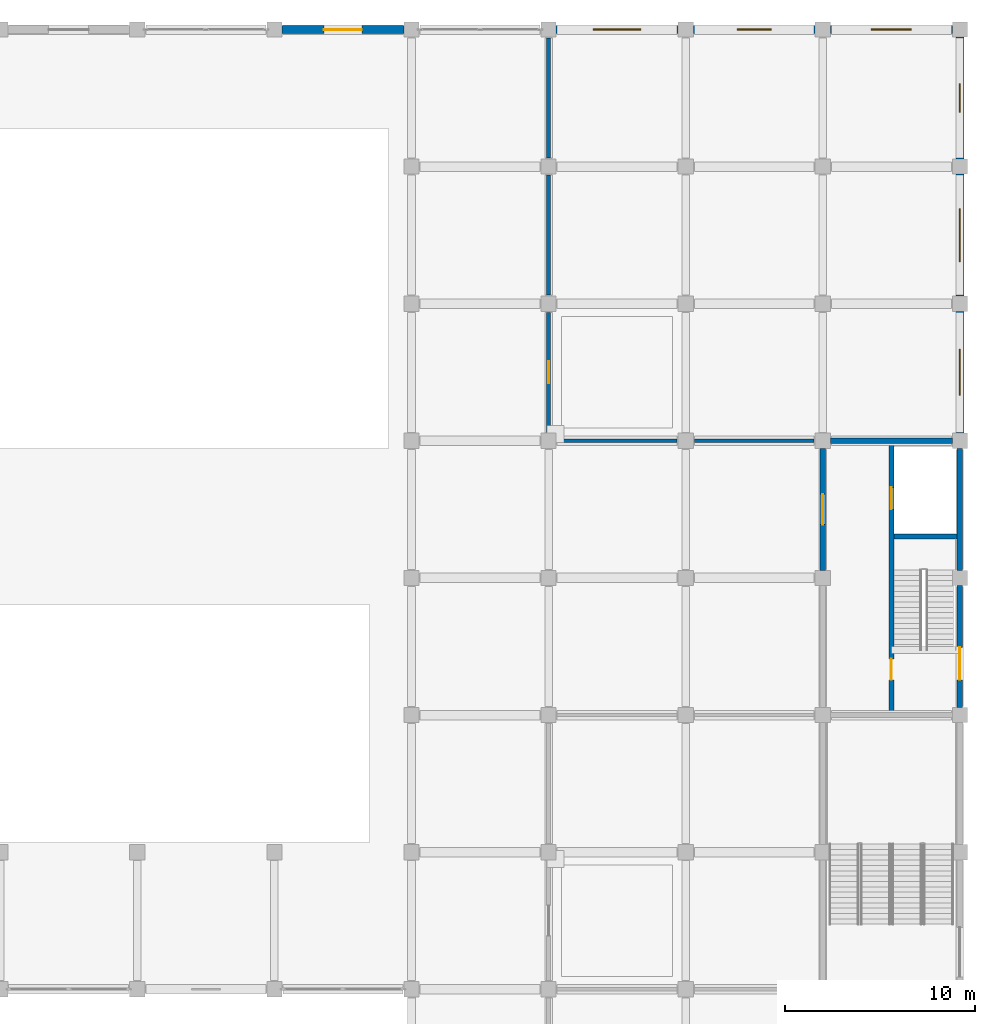
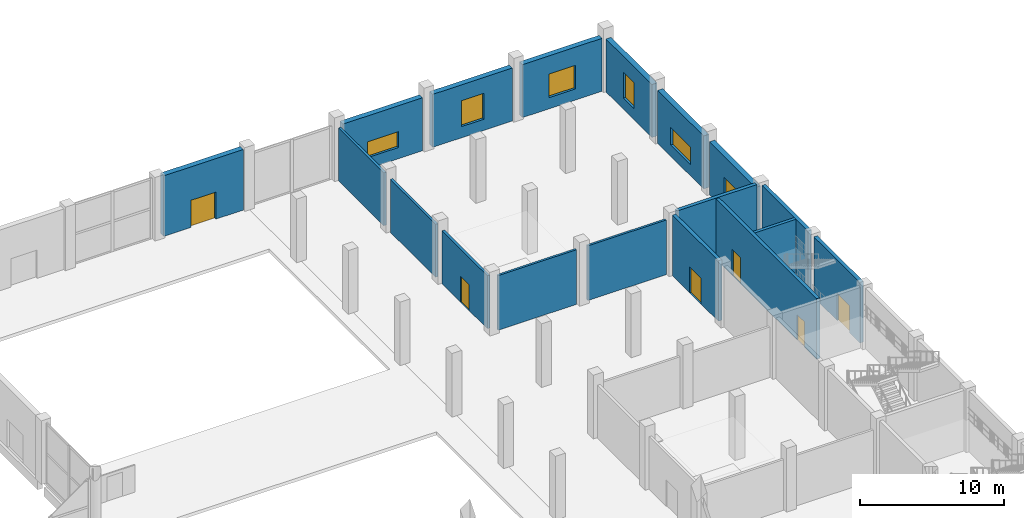
# One storey, part 53 of 70: 18 walls, 6 doors, 6 windows, 12 openings.
"""IFC4 building model written with IfcOpenShell, lengths in metres."""

from ifc_helpers import new_model, si_unit, direction, frame, frame_2d, origin, place, context, subcontext, project, spatial, rectangle, extrude, material, layer, layer_set, type_object, element, fill, save


model = new_model("IFC4")

# Units and contexts
model_context = context("Model", 3, precision=1e-05, world=origin(), true_north=direction((0.0, 1.0)))
body_context = subcontext(model_context, "Body", "Model", "MODEL_VIEW")
ifc_project = project(units=[si_unit("LENGTHUNIT", "METRE"), si_unit("AREAUNIT", "SQUARE_METRE"), si_unit("VOLUMEUNIT", "CUBIC_METRE"), si_unit("PLANEANGLEUNIT", "RADIAN"), si_unit("MASSUNIT", "GRAM", prefix="KILO")], contexts=[model_context])

# Site, building, storey
site_placement = place(None, origin())
site = spatial("IfcSite", under=ifc_project, at=site_placement, CompositionType="ELEMENT")
building_placement = place(site_placement, origin())
building = spatial("IfcBuilding", under=site, at=building_placement, Name="Vesperath Aquatics Centre", CompositionType="ELEMENT")
storey_placement = place(building_placement, origin())
storey = spatial("IfcBuildingStorey", under=building, at=storey_placement, Name="L00", CompositionType="ELEMENT", Elevation=0.0)

# Wall, opening, door
ifc_material_1 = material(Name="Liaoning grey granite ashlar insulated cavity wall", Category="masonry")
ifc_layer_1 = layer(ifc_material_1, 0.419921875)
ifc_layer_set_1 = layer_set([ifc_layer_1], Name="Liaoning grey granite ashlar insulated cavity wall")
wall_type_1 = type_object("IfcWallType", Name="WL-EW01", PredefinedType="SOLIDWALL", material=ifc_layer_set_1)
wall_1_placement = place(storey_placement, frame((137.199951171875, 115.199951171875, 0.0), z_axis=(0.0, 0.0, 1.0), x_axis=(1.0, 0.0, 0.0)))
wall_1 = element("IfcWall", 1, at=wall_1_placement, inside=storey, type_object=wall_type_1, Name="Exterior Wall EW01 L00_N_19_16", PredefinedType="SOLIDWALL", context=body_context, shape_type="SweptSolid", body=[
    extrude(rectangle(XDim=6.400146484375, YDim=0.419921875, at=frame_2d((3.2001953125, 0.0))), origin(), (0.0, 0.0, 1.0), 5.139892578125),
])
opening_1_placement = place(wall_1_placement, frame((2.199951171875, 0.0, 0.0)))
opening_1 = element("IfcOpeningElement", 2, at=opening_1_placement, cuts=wall_1, Name="Opening EX03", PredefinedType="OPENING", context=body_context, shape_type="SweptSolid", body=[
    extrude(rectangle(XDim=2.0, YDim=2.300048828125, at=frame_2d((1.0, 1.14990234375))), frame((0.0, 0.224853515625, 0.0), z_axis=(0.0, -1.0, 0.0), x_axis=(1.0, 0.0, 0.0)), (0.0, 0.0, 1.0), 0.44970703125),
])
ifc_material_2 = material(Name="Thermally broken bronze-anodised glazed aluminium door", Category="aluminium")
door_type_1 = type_object("IfcDoorType", Name="DR-EX03", OperationType="DOUBLE_SWING_LEFT", PredefinedType="DOOR", material=ifc_material_2)
door_1_placement = place(opening_1_placement, origin())
door_1 = element("IfcDoor", 3, at=door_1_placement, inside=storey, type_object=door_type_1, Name="Final Exit Door EX03 L00_N_19_16", OperationType="DOUBLE_SWING_LEFT", OverallHeight=2.300048828125, OverallWidth=2.0, PredefinedType="DOOR", context=body_context, shape_type="SweptSolid", body=[
    extrude(rectangle(XDim=2.0, YDim=2.300048828125, at=frame_2d((1.0, 1.14990234375))), frame((0.0, 0.02490234375, 0.0), z_axis=(0.0, -1.0, 0.0), x_axis=(1.0, 0.0, 0.0)), (0.0, 0.0, 1.0), 0.050048828125),
])
fill(opening_1, door_1)

# Wall, opening, window
wall_2_placement = place(storey_placement, frame((151.60009765625, 115.199951171875, 0.0), z_axis=(0.0, 0.0, 1.0), x_axis=(1.0, 0.0, 0.0)))
wall_2 = element("IfcWall", 4, at=wall_2_placement, inside=storey, type_object=wall_type_1, Name="Exterior Wall EW01 L00_N_21_16", PredefinedType="SOLIDWALL", context=body_context, shape_type="SweptSolid", body=[
    extrude(rectangle(XDim=6.39990234375, YDim=0.419921875, at=frame_2d((3.199951171875, 0.0))), origin(), (0.0, 0.0, 1.0), 4.4951171875),
])
opening_2_placement = place(wall_2_placement, frame((1.949951171875, 0.0, 0.949951171875)))
opening_2 = element("IfcOpeningElement", 5, at=opening_2_placement, cuts=wall_2, Name="Opening W16", PredefinedType="OPENING", context=body_context, shape_type="SweptSolid", body=[
    extrude(rectangle(XDim=2.5, YDim=1.35009765625, at=frame_2d((1.25, 0.675048828125))), frame((0.0, 0.224853515625, 0.0), z_axis=(0.0, -1.0, 0.0), x_axis=(1.0, 0.0, 0.0)), (0.0, 0.0, 1.0), 0.44970703125),
])
ifc_material_3 = material(Name="Thermally broken aluminium triple-glazed window", Category="aluminium")
window_type_1 = type_object("IfcWindowType", Name="WN-W16", PartitioningType="SINGLE_PANEL", PredefinedType="WINDOW", material=ifc_material_3)
window_1_placement = place(opening_2_placement, origin())
window_1 = element("IfcWindow", 6, at=window_1_placement, inside=storey, type_object=window_type_1, Name="Deep-Reveal Casement Window W16 L00_N_21_16", OverallHeight=1.35009765625, OverallWidth=2.5, PartitioningType="SINGLE_PANEL", PredefinedType="WINDOW", context=body_context, shape_type="SweptSolid", body=[
    extrude(rectangle(XDim=2.5, YDim=1.35009765625, at=frame_2d((1.25, 0.675048828125))), frame((0.0, 0.030029296875, 0.0), z_axis=(0.0, -1.0, 0.0), x_axis=(1.0, 0.0, 0.0)), (0.0, 0.0, 1.0), 0.06005859375),
])
fill(opening_2, window_1)

wall_3_placement = place(storey_placement, frame((158.800048828125, 115.199951171875, 0.0), z_axis=(0.0, 0.0, 1.0), x_axis=(1.0, 0.0, 0.0)))
wall_3 = element("IfcWall", 7, at=wall_3_placement, inside=storey, type_object=wall_type_1, Name="Exterior Wall EW01 L00_N_22_16", PredefinedType="SOLIDWALL", context=body_context, shape_type="SweptSolid", body=[
    extrude(rectangle(XDim=6.39990234375, YDim=0.419921875, at=frame_2d((3.199951171875, 0.0))), origin(), (0.0, 0.0, 1.0), 4.4951171875),
])
opening_3_placement = place(wall_3_placement, frame((2.300048828125, 0.0, 0.949951171875)))
opening_3 = element("IfcOpeningElement", 8, at=opening_3_placement, cuts=wall_3, Name="Opening W03", PredefinedType="OPENING", context=body_context, shape_type="SweptSolid", body=[
    extrude(rectangle(XDim=1.800048828125, YDim=2.199951171875, at=frame_2d((0.89990234375, 1.10009765625))), frame((0.0, 0.224853515625, 0.0), z_axis=(0.0, -1.0, 0.0), x_axis=(1.0, 0.0, 0.0)), (0.0, 0.0, 1.0), 0.44970703125),
])
window_type_2 = type_object("IfcWindowType", Name="WN-W03", PartitioningType="SINGLE_PANEL", PredefinedType="WINDOW", material=ifc_material_3)
window_2_placement = place(opening_3_placement, origin())
window_2 = element("IfcWindow", 9, at=window_2_placement, inside=storey, type_object=window_type_2, Name="Deep-Reveal Casement Window W03 L00_N_22_16", OverallHeight=2.199951171875, OverallWidth=1.800048828125, PartitioningType="SINGLE_PANEL", PredefinedType="WINDOW", context=body_context, shape_type="SweptSolid", body=[
    extrude(rectangle(XDim=1.800048828125, YDim=2.199951171875, at=frame_2d((0.89990234375, 1.10009765625))), frame((0.0, 0.030029296875, 0.0), z_axis=(0.0, -1.0, 0.0), x_axis=(1.0, 0.0, 0.0)), (0.0, 0.0, 1.0), 0.06005859375),
])
fill(opening_3, window_2)

wall_4_placement = place(storey_placement, frame((166.0, 115.199951171875, 0.0), z_axis=(0.0, 0.0, 1.0), x_axis=(1.0, 0.0, 0.0)))
wall_4 = element("IfcWall", 10, at=wall_4_placement, inside=storey, type_object=wall_type_1, Name="Exterior Wall EW01 L00_N_23_16", PredefinedType="SOLIDWALL", context=body_context, shape_type="SweptSolid", body=[
    extrude(rectangle(XDim=6.39990234375, YDim=0.419921875, at=frame_2d((3.199951171875, 0.0))), origin(), (0.0, 0.0, 1.0), 4.4951171875),
])
opening_4_placement = place(wall_4_placement, frame((2.14990234375, 0.0, 0.949951171875)))
opening_4 = element("IfcOpeningElement", 11, at=opening_4_placement, cuts=wall_4, Name="Opening W06", PredefinedType="OPENING", context=body_context, shape_type="SweptSolid", body=[
    extrude(rectangle(XDim=2.10009765625, YDim=2.0, at=frame_2d((1.050048828125, 1.0))), frame((0.0, 0.224853515625, 0.0), z_axis=(0.0, -1.0, 0.0), x_axis=(1.0, 0.0, 0.0)), (0.0, 0.0, 1.0), 0.44970703125),
])
window_type_3 = type_object("IfcWindowType", Name="WN-W06", PartitioningType="SINGLE_PANEL", PredefinedType="WINDOW", material=ifc_material_3)
window_3_placement = place(opening_4_placement, origin())
window_3 = element("IfcWindow", 12, at=window_3_placement, inside=storey, type_object=window_type_3, Name="Deep-Reveal Casement Window W06 L00_N_23_16", OverallHeight=2.0, OverallWidth=2.10009765625, PartitioningType="SINGLE_PANEL", PredefinedType="WINDOW", context=body_context, shape_type="SweptSolid", body=[
    extrude(rectangle(XDim=2.10009765625, YDim=2.0, at=frame_2d((1.050048828125, 1.0))), frame((0.0, 0.030029296875, 0.0), z_axis=(0.0, -1.0, 0.0), x_axis=(1.0, 0.0, 0.0)), (0.0, 0.0, 1.0), 0.06005859375),
])
fill(opening_4, window_3)

wall_5_placement = place(storey_placement, frame((172.800048828125, 94.0, 0.0), z_axis=(0.0, 0.0, 1.0), x_axis=(0.0, 1.0, 0.0)))
wall_5 = element("IfcWall", 13, at=wall_5_placement, inside=storey, type_object=wall_type_1, Name="Exterior Wall EW01 L00_E_24_13", PredefinedType="SOLIDWALL", context=body_context, shape_type="SweptSolid", body=[
    extrude(rectangle(XDim=6.39990234375, YDim=0.419921875, at=frame_2d((3.199951171875, 0.0))), origin(), (0.0, 0.0, 1.0), 4.4951171875),
])
opening_5_placement = place(wall_5_placement, frame((2.0, 0.0, 0.949951171875)))
opening_5 = element("IfcOpeningElement", 14, at=opening_5_placement, cuts=wall_5, Name="Opening W10", PredefinedType="OPENING", context=body_context, shape_type="SweptSolid", body=[
    extrude(rectangle(XDim=2.39990234375, YDim=1.75, at=frame_2d((1.199951171875, 0.875))), frame((0.0, 0.224853515625, 0.0), z_axis=(0.0, -1.0, 0.0), x_axis=(1.0, 0.0, 0.0)), (0.0, 0.0, 1.0), 0.44970703125),
])
window_type_4 = type_object("IfcWindowType", Name="WN-W10", PartitioningType="SINGLE_PANEL", PredefinedType="WINDOW", material=ifc_material_3)
window_4_placement = place(opening_5_placement, origin())
window_4 = element("IfcWindow", 15, at=window_4_placement, inside=storey, type_object=window_type_4, Name="Deep-Reveal Casement Window W10 L00_E_24_13", OverallHeight=1.75, OverallWidth=2.39990234375, PartitioningType="SINGLE_PANEL", PredefinedType="WINDOW", context=body_context, shape_type="SweptSolid", body=[
    extrude(rectangle(XDim=2.39990234375, YDim=1.75, at=frame_2d((1.199951171875, 0.875))), frame((0.0, 0.030029296875, 0.0), z_axis=(0.0, -1.0, 0.0), x_axis=(1.0, 0.0, 0.0)), (0.0, 0.0, 1.0), 0.06005859375),
])
fill(opening_5, window_4)

wall_6_placement = place(storey_placement, frame((172.800048828125, 101.199951171875, 0.0), z_axis=(0.0, 0.0, 1.0), x_axis=(0.0, 1.0, 0.0)))
wall_6 = element("IfcWall", 16, at=wall_6_placement, inside=storey, type_object=wall_type_1, Name="Exterior Wall EW01 L00_E_24_14", PredefinedType="SOLIDWALL", context=body_context, shape_type="SweptSolid", body=[
    extrude(rectangle(XDim=6.400146484375, YDim=0.419921875, at=frame_2d((3.2001953125, 0.0))), origin(), (0.0, 0.0, 1.0), 4.4951171875),
])
opening_6_placement = place(wall_6_placement, frame((1.800048828125, 0.0, 0.949951171875)))
opening_6 = element("IfcOpeningElement", 17, at=opening_6_placement, cuts=wall_6, Name="Opening W15", PredefinedType="OPENING", context=body_context, shape_type="SweptSolid", body=[
    extrude(rectangle(XDim=2.800048828125, YDim=1.5, at=frame_2d((1.39990234375, 0.75))), frame((0.0, 0.224853515625, 0.0), z_axis=(0.0, -1.0, 0.0), x_axis=(1.0, 0.0, 0.0)), (0.0, 0.0, 1.0), 0.44970703125),
])
window_type_5 = type_object("IfcWindowType", Name="WN-W15", PartitioningType="SINGLE_PANEL", PredefinedType="WINDOW", material=ifc_material_3)
window_5_placement = place(opening_6_placement, origin())
window_5 = element("IfcWindow", 18, at=window_5_placement, inside=storey, type_object=window_type_5, Name="Deep-Reveal Casement Window W15 L00_E_24_14", OverallHeight=1.5, OverallWidth=2.800048828125, PartitioningType="SINGLE_PANEL", PredefinedType="WINDOW", context=body_context, shape_type="SweptSolid", body=[
    extrude(rectangle(XDim=2.800048828125, YDim=1.5, at=frame_2d((1.39990234375, 0.75))), frame((0.0, 0.030029296875, 0.0), z_axis=(0.0, -1.0, 0.0), x_axis=(1.0, 0.0, 0.0)), (0.0, 0.0, 1.0), 0.06005859375),
])
fill(opening_6, window_5)

wall_7_placement = place(storey_placement, frame((172.800048828125, 108.39990234375, 0.0), z_axis=(0.0, 0.0, 1.0), x_axis=(0.0, 1.0, 0.0)))
wall_7 = element("IfcWall", 19, at=wall_7_placement, inside=storey, type_object=wall_type_1, Name="Exterior Wall EW01 L00_E_24_15", PredefinedType="SOLIDWALL", context=body_context, shape_type="SweptSolid", body=[
    extrude(rectangle(XDim=6.400146484375, YDim=0.419921875, at=frame_2d((3.2001953125, 0.0))), origin(), (0.0, 0.0, 1.0), 4.4951171875),
])
opening_7_placement = place(wall_7_placement, frame((2.449951171875, 0.0, 0.949951171875)))
opening_7 = element("IfcOpeningElement", 20, at=opening_7_placement, cuts=wall_7, Name="Opening W04", PredefinedType="OPENING", context=body_context, shape_type="SweptSolid", body=[
    extrude(rectangle(XDim=1.5, YDim=2.199951171875, at=frame_2d((0.75, 1.10009765625))), frame((0.0, 0.224853515625, 0.0), z_axis=(0.0, -1.0, 0.0), x_axis=(1.0, 0.0, 0.0)), (0.0, 0.0, 1.0), 0.44970703125),
])
window_type_6 = type_object("IfcWindowType", Name="WN-W04", PartitioningType="SINGLE_PANEL", PredefinedType="WINDOW", material=ifc_material_3)
window_6_placement = place(opening_7_placement, origin())
window_6 = element("IfcWindow", 21, at=window_6_placement, inside=storey, type_object=window_type_6, Name="Deep-Reveal Casement Window W04 L00_E_24_15", OverallHeight=2.199951171875, OverallWidth=1.5, PartitioningType="SINGLE_PANEL", PredefinedType="WINDOW", context=body_context, shape_type="SweptSolid", body=[
    extrude(rectangle(XDim=1.5, YDim=2.199951171875, at=frame_2d((0.75, 1.10009765625))), frame((0.0, 0.030029296875, 0.0), z_axis=(0.0, -1.0, 0.0), x_axis=(1.0, 0.0, 0.0)), (0.0, 0.0, 1.0), 0.06005859375),
])
fill(opening_7, window_6)

# Wall, opening, door
ifc_material_4 = material(Name="Wet-village masonry block wall", Category="masonry")
ifc_layer_2 = layer(ifc_material_4, 0.199951171875)
ifc_layer_set_2 = layer_set([ifc_layer_2], Name="Wet-village masonry block wall")
wall_type_2 = type_object("IfcWallType", Name="WL-FW03", PredefinedType="SOLIDWALL", material=ifc_layer_set_2)
wall_8_placement = place(storey_placement, frame((151.199951171875, 94.050048828125, 0.0), z_axis=(0.0, 0.0, 1.0), x_axis=(0.0, 1.0, 0.0)))
wall_8 = element("IfcWall", 22, at=wall_8_placement, inside=storey, type_object=wall_type_2, Name="Interior Partition FW03 L00_CHG_FAM-W1", PredefinedType="SOLIDWALL", context=body_context, shape_type="SweptSolid", body=[
    extrude(rectangle(XDim=6.300048828125, YDim=0.199951171875, at=frame_2d((3.14990234375, 0.0))), origin(), (0.0, 0.0, 1.0), 4.4951171875),
])
opening_8_placement = place(wall_8_placement, frame((2.570068359375, 0.0, 0.0)))
opening_8 = element("IfcOpeningElement", 23, at=opening_8_placement, cuts=wall_8, Name="Opening D26", PredefinedType="OPENING", context=body_context, shape_type="SweptSolid", body=[
    extrude(rectangle(XDim=1.159912109375, YDim=2.199951171875, at=frame_2d((0.580078125, 1.10009765625))), frame((0.0, 0.11474609375, 0.0), z_axis=(0.0, -1.0, 0.0), x_axis=(1.0, 0.0, 0.0)), (0.0, 0.0, 1.0), 0.229736328125),
])
ifc_material_5 = material(Name="Biomechanics laboratory sealed door", Category="steel")
door_type_2 = type_object("IfcDoorType", Name="DR-RM18", OperationType="NOTDEFINED", PredefinedType="DOOR", material=ifc_material_5)
door_2_placement = place(opening_8_placement, frame((1.159912109375, 0.0, 0.0), z_axis=(0.0, 0.0, 1.0), x_axis=(-1.0, 0.0, 0.0)))
door_2 = element("IfcDoor", 24, at=door_2_placement, inside=storey, type_object=door_type_2, Name="Accessible Family Changing and Pre-Swim Showers Door D26", OperationType="SINGLE_SWING_LEFT", OverallHeight=2.199951171875, OverallWidth=1.159912109375, PredefinedType="DOOR", context=body_context, shape_type="SweptSolid", body=[
    extrude(rectangle(XDim=1.159912109375, YDim=2.199951171875, at=frame_2d((0.580078125, 1.10009765625))), frame((0.0, 0.02490234375, 0.0), z_axis=(0.0, -1.0, 0.0), x_axis=(1.0, 0.0, 0.0)), (0.0, 0.0, 1.0), 0.050048828125),
])
fill(opening_8, door_2)

# Walls
for number, where, z_axis, x_axis, name in (
    (25, (151.199951171875, 101.25, 0.0), (0.0, 0.0, 1.0), (0.0, 1.0, 0.0), "Interior Partition FW03 L00_CHG_FAM-W2"),
    (26, (151.199951171875, 108.449951171875, 0.0), (0.0, 0.0, 1.0), (0.0, 1.0, 0.0), "Interior Partition FW03 L00_CHG_FAM-W3"),
):
    element("IfcWall", number, at=place(storey_placement, frame(where, z_axis=z_axis, x_axis=x_axis)), inside=storey, type_object=wall_type_2, Name=name, PredefinedType="SOLIDWALL", context=body_context, shape_type="SweptSolid", body=[
        extrude(rectangle(XDim=6.300048828125, YDim=0.199951171875, at=frame_2d((3.14990234375, 0.0))), origin(), (0.0, 0.0, 1.0), 4.4951171875),
    ])
ifc_material_6 = material(Name="Moisture-resistant tiled wet partition", Category="gypsum")
ifc_layer_3 = layer(ifc_material_6, 0.175048828125)
ifc_layer_set_3 = layer_set([ifc_layer_3], Name="Moisture-resistant tiled wet partition")
wall_type_3 = type_object("IfcWallType", Name="WL-IW02", PredefinedType="PARTITIONING", material=ifc_layer_set_3)
wall_9_placement = place(storey_placement, frame((151.64990234375, 93.60009765625, 0.0), z_axis=(0.0, 0.0, 1.0), x_axis=(1.0, 0.0, 0.0)))
element("IfcWall", 27, at=wall_9_placement, inside=storey, type_object=wall_type_3, Name="Interior Partition IW02 L00_CHG_FAM-S1", PredefinedType="PARTITIONING", context=body_context, shape_type="SweptSolid", body=[
    extrude(rectangle(XDim=6.300048828125, YDim=0.175048828125, at=frame_2d((3.14990234375, 0.0))), origin(), (0.0, 0.0, 1.0), 4.639892578125),
])
wall_10_placement = place(storey_placement, frame((158.85009765625, 93.60009765625, 0.0), z_axis=(0.0, 0.0, 1.0), x_axis=(1.0, 0.0, 0.0)))
element("IfcWall", 28, at=wall_10_placement, inside=storey, type_object=wall_type_3, Name="Interior Partition IW02 L00_CHG_FAM-S2", PredefinedType="PARTITIONING", context=body_context, shape_type="SweptSolid", body=[
    extrude(rectangle(XDim=6.2998046875, YDim=0.175048828125, at=frame_2d((3.14990234375, 0.0))), origin(), (0.0, 0.0, 1.0), 4.639892578125),
])
ifc_material_7 = material(Name="Concrete C40", Category="concrete")
ifc_layer_4 = layer(ifc_material_7, 0.280029296875)
ifc_layer_set_4 = layer_set([ifc_layer_4], Name="Concrete C40")
wall_type_4 = type_object("IfcWallType", Name="WL-SW02", PredefinedType="SHEAR", material=ifc_layer_set_4)
wall_11_placement = place(storey_placement, frame((166.0, 93.60009765625, 0.0), z_axis=(0.0, 0.0, 1.0), x_axis=(1.0, 0.0, 0.0)))
element("IfcWall", 29, at=wall_11_placement, inside=storey, type_object=wall_type_4, Name="Core C4 North Shear Wall SW02 L00", PredefinedType="SHEAR", context=body_context, shape_type="SweptSolid", body=[
    extrude(rectangle(XDim=6.39990234375, YDim=0.280029296875, at=frame_2d((3.199951171875, 0.0))), origin(), (0.0, 0.0, 1.0), 5.139892578125),
])

# Wall, opening, door
wall_12_placement = place(storey_placement, frame((165.60009765625, 86.800048828125, 0.0), z_axis=(0.0, 0.0, 1.0), x_axis=(0.0, 1.0, 0.0)))
wall_12 = element("IfcWall", 30, at=wall_12_placement, inside=storey, type_object=wall_type_4, Name="Core C4 West-2 Shear Wall SW02 L00", PredefinedType="SHEAR", context=body_context, shape_type="SweptSolid", body=[
    extrude(rectangle(XDim=6.39990234375, YDim=0.280029296875, at=frame_2d((3.199951171875, 0.0))), origin(), (0.0, 0.0, 1.0), 5.139892578125),
])
opening_9_placement = place(wall_12_placement, frame((2.39990234375, 0.0, 0.0)))
opening_9 = element("IfcOpeningElement", 31, at=opening_9_placement, cuts=wall_12, Name="Opening D02", PredefinedType="OPENING", context=body_context, shape_type="SweptSolid", body=[
    extrude(rectangle(XDim=1.60009765625, YDim=2.199951171875, at=frame_2d((0.800048828125, 1.10009765625))), frame((0.0, 0.15478515625, 0.0), z_axis=(0.0, -1.0, 0.0), x_axis=(1.0, 0.0, 0.0)), (0.0, 0.0, 1.0), 0.309814453125),
])
ifc_material_8 = material(Name="Glazed fire-rated lobby double door", Category="steel")
door_type_3 = type_object("IfcDoorType", Name="DR-FD02", OperationType="DOUBLE_SWING_LEFT", PredefinedType="DOOR", material=ifc_material_8)
door_3_placement = place(opening_9_placement, origin())
door_3 = element("IfcDoor", 32, at=door_3_placement, inside=storey, type_object=door_type_3, Name="Core C4 Lobby Fire Door D02 L00", OperationType="DOUBLE_SWING_LEFT", OverallHeight=2.199951171875, OverallWidth=1.60009765625, PredefinedType="DOOR", context=body_context, shape_type="SweptSolid", body=[
    extrude(rectangle(XDim=1.60009765625, YDim=2.199951171875, at=frame_2d((0.800048828125, 1.10009765625))), frame((0.0, 0.02490234375, 0.0), z_axis=(0.0, -1.0, 0.0), x_axis=(1.0, 0.0, 0.0)), (0.0, 0.0, 1.0), 0.050048828125),
])
fill(opening_9, door_3)

# Wall, openings, doors
ifc_layer_5 = layer(ifc_material_7, 0.260009765625)
ifc_layer_set_5 = layer_set([ifc_layer_5], Name="Concrete C40")
wall_type_5 = type_object("IfcWallType", Name="WL-SW03", PredefinedType="SHEAR", material=ifc_layer_set_5)
wall_13_placement = place(storey_placement, frame((169.199951171875, 79.39990234375, 0.0), z_axis=(0.0, 0.0, 1.0), x_axis=(0.0, 1.0, 0.0)))
wall_13 = element("IfcWall", 33, at=wall_13_placement, inside=storey, type_object=wall_type_5, Name="Core C4 Spine Shear Wall SW03 L00", PredefinedType="SHEAR", context=body_context, shape_type="SweptSolid", body=[
    extrude(rectangle(XDim=14.0, YDim=0.260009765625, at=frame_2d((7.0, 0.0))), origin(), (0.0, 0.0, 1.0), 5.139892578125),
])
opening_10_placement = place(wall_13_placement, frame((1.64990234375, 0.0, 0.0)))
opening_10 = element("IfcOpeningElement", 34, at=opening_10_placement, cuts=wall_13, Name="Opening D01", PredefinedType="OPENING", context=body_context, shape_type="SweptSolid", body=[
    extrude(rectangle(XDim=1.10009765625, YDim=2.14990234375, at=frame_2d((0.550048828125, 1.074951171875))), frame((0.0, 0.14501953125, 0.0), z_axis=(0.0, -1.0, 0.0), x_axis=(1.0, 0.0, 0.0)), (0.0, 0.0, 1.0), 0.289794921875),
])
opening_11_placement = place(wall_13_placement, frame((10.60009765625, 0.0, 0.0)))
opening_11 = element("IfcOpeningElement", 35, at=opening_11_placement, cuts=wall_13, Name="Opening LD02", PredefinedType="OPENING", context=body_context, shape_type="SweptSolid", body=[
    extrude(rectangle(XDim=1.14990234375, YDim=2.199951171875, at=frame_2d((0.574951171875, 1.10009765625))), frame((0.0, 0.14501953125, 0.0), z_axis=(0.0, -1.0, 0.0), x_axis=(1.0, 0.0, 0.0)), (0.0, 0.0, 1.0), 0.289794921875),
])
ifc_material_9 = material(Name="Steel-faced acoustic fire door", Category="steel")
door_type_4 = type_object("IfcDoorType", Name="DR-FD01", OperationType="NOTDEFINED", PredefinedType="DOOR", material=ifc_material_9)
door_4_placement = place(opening_10_placement, frame((1.10009765625, 0.0, 0.0), z_axis=(0.0, 0.0, 1.0), x_axis=(-1.0, 0.0, 0.0)))
door_4 = element("IfcDoor", 36, at=door_4_placement, inside=storey, type_object=door_type_4, Name="Stair ST4 Fire Door D01 L00", OperationType="SINGLE_SWING_RIGHT", OverallHeight=2.14990234375, OverallWidth=1.10009765625, PredefinedType="DOOR", context=body_context, shape_type="SweptSolid", body=[
    extrude(rectangle(XDim=1.10009765625, YDim=2.14990234375, at=frame_2d((0.550048828125, 1.074951171875))), frame((0.0, 0.02490234375, 0.0), z_axis=(0.0, -1.0, 0.0), x_axis=(1.0, 0.0, 0.0)), (0.0, 0.0, 1.0), 0.050048828125),
])
fill(opening_10, door_4)
ifc_material_10 = material(Name="Brushed stainless steel lift landing door", Category="steel")
door_type_5 = type_object("IfcDoorType", Name="DR-LD02", OperationType="SLIDING_TO_RIGHT", PredefinedType="DOOR", material=ifc_material_10)
door_5_placement = place(opening_11_placement, origin())
door_5 = element("IfcDoor", 37, at=door_5_placement, inside=storey, type_object=door_type_5, Name="Lift LFT-P3 Sliding Landing Door LD02 L00", OperationType="SLIDING_TO_RIGHT", OverallHeight=2.199951171875, OverallWidth=1.14990234375, PredefinedType="DOOR", context=body_context, shape_type="SweptSolid", body=[
    extrude(rectangle(XDim=1.14990234375, YDim=2.199951171875, at=frame_2d((0.574951171875, 1.10009765625))), frame((0.0, 0.02490234375, 0.0), z_axis=(0.0, -1.0, 0.0), x_axis=(1.0, 0.0, 0.0)), (0.0, 0.0, 1.0), 0.050048828125),
])
fill(opening_11, door_5)

# Wall
ifc_layer_6 = layer(ifc_material_7, 0.25)
ifc_layer_set_6 = layer_set([ifc_layer_6], Name="Concrete C40")
wall_type_6 = type_object("IfcWallType", Name="WL-SW04", PredefinedType="SHEAR", material=ifc_layer_set_6)
wall_14_placement = place(storey_placement, frame((169.340087890625, 88.580078125, 0.0), z_axis=(0.0, 0.0, 1.0), x_axis=(1.0, 0.0, 0.0)))
element("IfcWall", 38, at=wall_14_placement, inside=storey, type_object=wall_type_6, Name="Core C4 Lift Shaft Wall SW04 L00", PredefinedType="SHEAR", context=body_context, shape_type="SweptSolid", body=[
    extrude(rectangle(XDim=3.2998046875, YDim=0.25, at=frame_2d((1.64990234375, 0.0))), origin(), (0.0, 0.0, 1.0), 5.139892578125),
])

# Wall, opening, door
ifc_layer_7 = layer(ifc_material_7, 0.2900390625)
ifc_layer_set_7 = layer_set([ifc_layer_7], Name="Concrete C40")
wall_type_7 = type_object("IfcWallType", Name="WL-SW06", PredefinedType="SHEAR", material=ifc_layer_set_7)
wall_15_placement = place(storey_placement, frame((172.800048828125, 79.60009765625, 0.0), z_axis=(0.0, 0.0, 1.0), x_axis=(0.0, 1.0, 0.0)))
wall_15 = element("IfcWall", 39, at=wall_15_placement, inside=storey, type_object=wall_type_7, Name="Core C4 East-1 Shear Wall SW06 L00", PredefinedType="SHEAR", context=body_context, shape_type="SweptSolid", body=[
    extrude(rectangle(XDim=6.39990234375, YDim=0.2900390625, at=frame_2d((3.199951171875, 0.0))), origin(), (0.0, 0.0, 1.0), 5.139892578125),
])
opening_12_placement = place(wall_15_placement, frame((1.449951171875, 0.0, 0.0)))
opening_12 = element("IfcOpeningElement", 40, at=opening_12_placement, cuts=wall_15, Name="Opening EX04", PredefinedType="OPENING", context=body_context, shape_type="SweptSolid", body=[
    extrude(rectangle(XDim=1.699951171875, YDim=2.300048828125, at=frame_2d((0.85009765625, 1.14990234375))), frame((0.0, 0.159912109375, 0.0), z_axis=(0.0, -1.0, 0.0), x_axis=(1.0, 0.0, 0.0)), (0.0, 0.0, 1.0), 0.31982421875),
])
door_type_6 = type_object("IfcDoorType", Name="DR-EX04", OperationType="DOUBLE_SWING_LEFT", PredefinedType="DOOR", material=ifc_material_2)
door_6_placement = place(opening_12_placement, frame((1.699951171875, 0.0, 0.0), z_axis=(0.0, 0.0, 1.0), x_axis=(-1.0, 0.0, 0.0)))
door_6 = element("IfcDoor", 41, at=door_6_placement, inside=storey, type_object=door_type_6, Name="Stair ST4 Direct Grade Exit Door EX04", OperationType="DOUBLE_SWING_LEFT", OverallHeight=2.300048828125, OverallWidth=1.699951171875, PredefinedType="DOOR", context=body_context, shape_type="SweptSolid", body=[
    extrude(rectangle(XDim=1.699951171875, YDim=2.300048828125, at=frame_2d((0.85009765625, 1.14990234375))), frame((0.0, 0.02490234375, 0.0), z_axis=(0.0, -1.0, 0.0), x_axis=(1.0, 0.0, 0.0)), (0.0, 0.0, 1.0), 0.050048828125),
])
fill(opening_12, door_6)

# Wall
wall_16_placement = place(storey_placement, frame((172.800048828125, 86.800048828125, 0.0), z_axis=(0.0, 0.0, 1.0), x_axis=(0.0, 1.0, 0.0)))
element("IfcWall", 42, at=wall_16_placement, inside=storey, type_object=wall_type_7, Name="Core C4 East-2 Shear Wall SW06 L00", PredefinedType="SHEAR", context=body_context, shape_type="SweptSolid", body=[
    extrude(rectangle(XDim=6.39990234375, YDim=0.2900390625, at=frame_2d((3.199951171875, 0.0))), origin(), (0.0, 0.0, 1.0), 5.139892578125),
])

save(model, "model.ifc")
